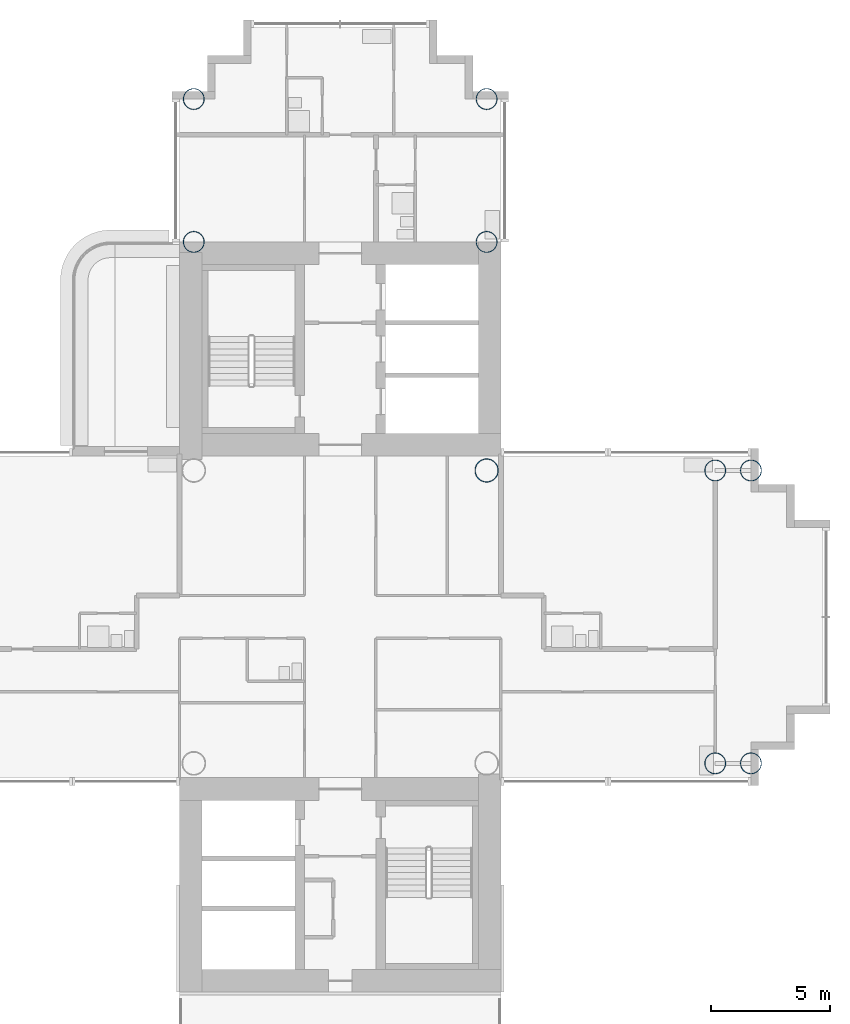
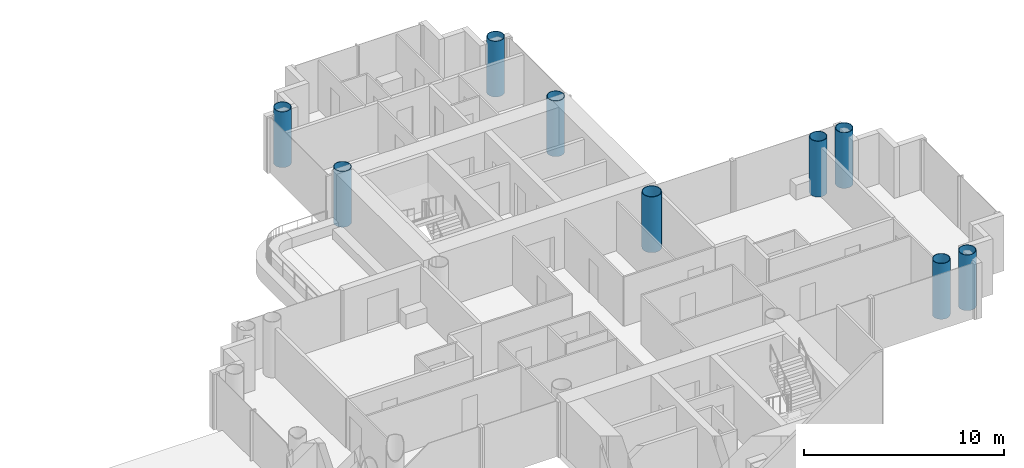
# One storey, part 2 of 22: 9 columns.
"""IFC4 building model written with IfcOpenShell, lengths in metres."""

from ifc_helpers import new_model, si_unit, direction, frame, origin, origin_2d, place, context, subcontext, project, spatial, hollow_circle, extrude, material, material_profile, profile_set, type_object, element, save


model = new_model("IFC4")

# Units and contexts
model_context = context("Model", 3, precision=1e-05, world=origin(), true_north=direction((0.0, 1.0)))
body_context = subcontext(model_context, "Body", "Model", "MODEL_VIEW")
ifc_project = project(units=[si_unit("LENGTHUNIT", "METRE"), si_unit("AREAUNIT", "SQUARE_METRE"), si_unit("VOLUMEUNIT", "CUBIC_METRE"), si_unit("PLANEANGLEUNIT", "RADIAN"), si_unit("MASSUNIT", "GRAM", prefix="KILO")], contexts=[model_context])

# Site, building, storey
site_placement = place(None, origin())
site = spatial("IfcSite", under=ifc_project, at=site_placement, CompositionType="ELEMENT")
building_placement = place(site_placement, origin())
building = spatial("IfcBuilding", under=site, at=building_placement, Name="Ipe Terrace Towers", CompositionType="ELEMENT")
storey_placement = place(building_placement, frame((0.0, 0.0, 76.60009765625)))
storey = spatial("IfcBuildingStorey", under=building, at=storey_placement, Name="L20", CompositionType="ELEMENT", Elevation=76.60009765625)

# Columns
ifc_material_1 = material(Name="Steel S355 tube with Concrete C60/75 fill", Category="concrete")
ifc_material_profile_1 = material_profile(ifc_material_1, hollow_circle(Radius=0.5, WallThickness=0.035888671875, at=origin_2d()), Name="CHS-1000x36")
ifc_profile_set_1 = profile_set([ifc_material_profile_1], Name="Steel S355 tube with Concrete C60/75 fill")
column_type_1 = type_object("IfcColumnType", Name="CH01 COLUMN CHS-1000x36", PredefinedType="COLUMN", material=ifc_profile_set_1)
column_placement = place(storey_placement, frame((42.14990234375, 6.14990234375, 0.0), z_axis=(0.0, 0.0, 1.0), x_axis=(1.0, 0.0, 0.0)))
element("IfcColumn", 1, at=column_placement, inside=storey, type_object=column_type_1, Name="Column T2-C-E02", PredefinedType="COLUMN", context=body_context, shape_type="SweptSolid", body=[
    extrude(hollow_circle(Radius=0.5, WallThickness=0.035888671875, at=origin_2d()), origin(), (0.0, 0.0, 1.0), 3.39990234375),
])
ifc_material_2 = material(Name="Steel S355 tube with Concrete C60/75 fill", Category="concrete")
ifc_material_profile_2 = material_profile(ifc_material_2, hollow_circle(Radius=0.449951171875, WallThickness=0.031982421875, at=origin_2d()), Name="CHS-900x32")
ifc_profile_set_2 = profile_set([ifc_material_profile_2], Name="Steel S355 tube with Concrete C60/75 fill")
column_type_2 = type_object("IfcColumnType", Name="CH10 COLUMN CHS-900x32", PredefinedType="COLUMN", material=ifc_profile_set_2)
for number, where, z_axis, x_axis, name in (
    (2, (42.14990234375, 15.75, 0.0), (0.0, 0.0, 1.0), (1.0, 0.0, 0.0), "Column T2-C-A01"),
    (3, (29.85009765625, 15.75, 0.0), (0.0, 0.0, 1.0), (1.0, 0.0, 0.0), "Column T2-C-A02"),
    (4, (42.14990234375, 21.75, 0.0), (0.0, 0.0, 1.0), (1.0, 0.0, 0.0), "Column T2-C-A03"),
    (5, (29.85009765625, 21.75, 0.0), (0.0, 0.0, 1.0), (1.0, 0.0, 0.0), "Column T2-C-A04"),
    (6, (51.75, -6.14990234375, 0.0), (0.0, 0.0, 1.0), (1.0, 0.0, 0.0), "Column T2-C-D03"),
    (7, (51.75, 6.14990234375, 0.0), (0.0, 0.0, 1.0), (1.0, 0.0, 0.0), "Column T2-C-D04"),
    (8, (53.25, -6.14990234375, 0.0), (0.0, 0.0, 1.0), (1.0, 0.0, 0.0), "Column T2-C-D05"),
    (9, (53.25, 6.14990234375, 0.0), (0.0, 0.0, 1.0), (1.0, 0.0, 0.0), "Column T2-C-D06"),
):
    element("IfcColumn", number, at=place(storey_placement, frame(where, z_axis=z_axis, x_axis=x_axis)), inside=storey, type_object=column_type_2, Name=name, PredefinedType="COLUMN", context=body_context, shape_type="SweptSolid", body=[
        extrude(hollow_circle(Radius=0.449951171875, WallThickness=0.031982421875, at=origin_2d()), origin(), (0.0, 0.0, 1.0), 3.39990234375),
    ])

save(model, "model.ifc")
